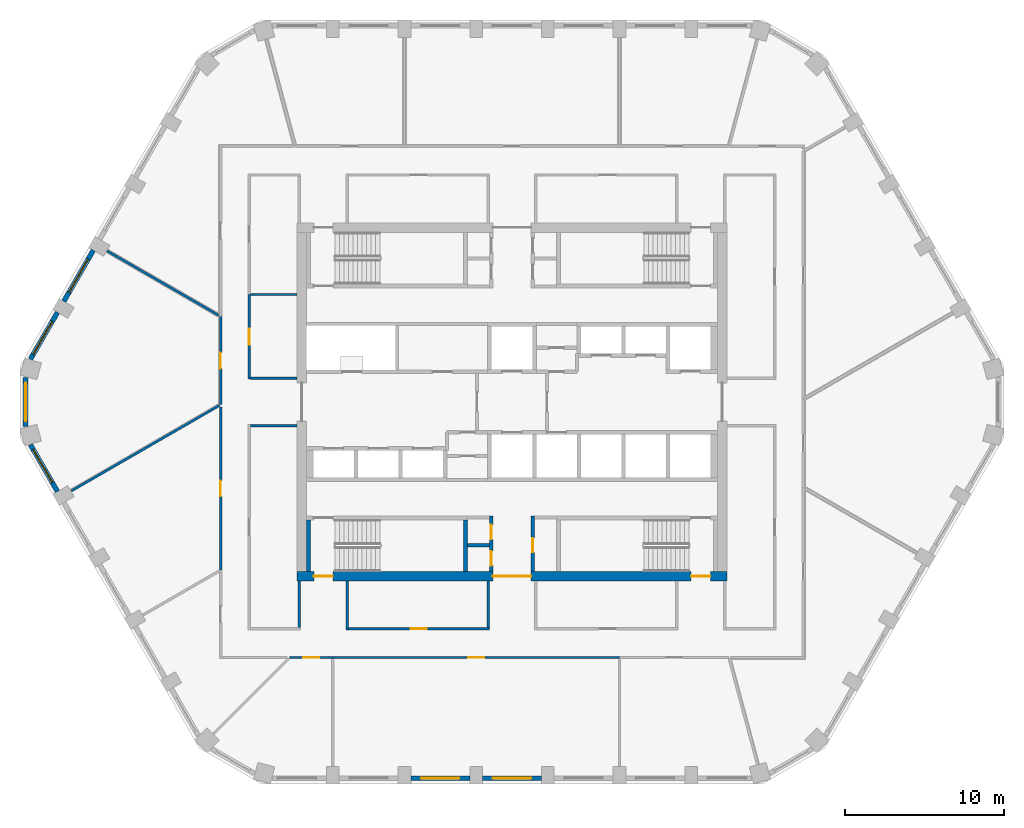
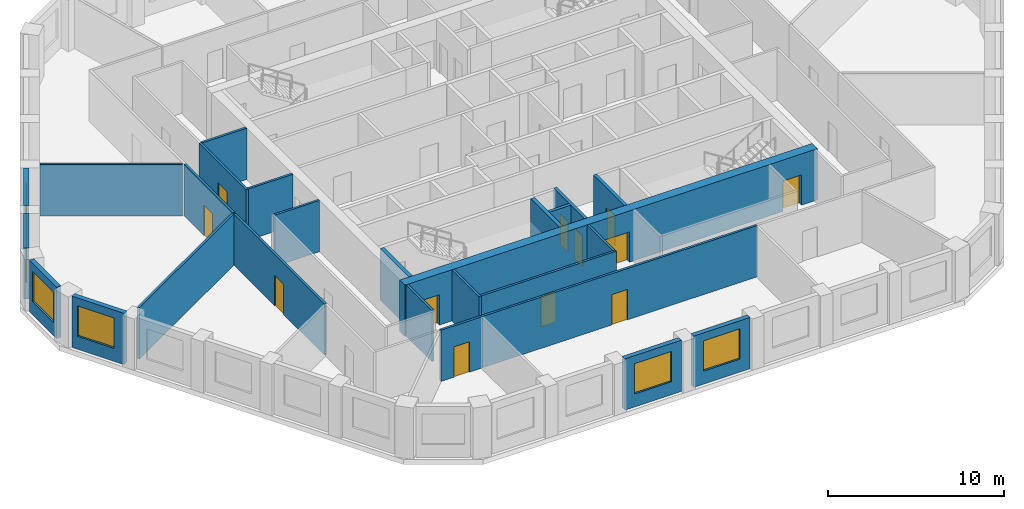
# One storey, part 2 of 13: 26 walls, 12 doors, 6 windows, 18 openings.
"""IFC4 building model written with IfcOpenShell, lengths in metres."""

from ifc_helpers import new_model, si_unit, direction, frame, frame_2d, origin, place, context, subcontext, project, spatial, rectangle, extrude, material, layer, layer_set, type_object, element, fill, save


model = new_model("IFC4")

# Units and contexts
model_context = context("Model", 3, precision=1e-05, world=origin(), true_north=direction((0.0, 1.0)))
body_context = subcontext(model_context, "Body", "Model", "MODEL_VIEW")
ifc_project = project(units=[si_unit("LENGTHUNIT", "METRE"), si_unit("AREAUNIT", "SQUARE_METRE"), si_unit("VOLUMEUNIT", "CUBIC_METRE"), si_unit("PLANEANGLEUNIT", "RADIAN"), si_unit("MASSUNIT", "GRAM", prefix="KILO")], contexts=[model_context])

# Site, building, storey
site_placement = place(None, origin())
site = spatial("IfcSite", under=ifc_project, at=site_placement, CompositionType="ELEMENT")
building_placement = place(site_placement, origin())
building = spatial("IfcBuilding", under=site, at=building_placement, Name="Dhurran Vertical Campus", CompositionType="ELEMENT")
storey_placement = place(building_placement, frame((0.0, 0.0, 187.800048828125)))
storey = spatial("IfcBuildingStorey", under=building, at=storey_placement, Name="L46", CompositionType="ELEMENT", Elevation=187.800048828125)

# Wall, opening, window
ifc_material_1 = material(Name="Precast concrete C50/60", Category="concrete")
ifc_layer_1 = layer(ifc_material_1, 0.300048828125)
ifc_layer_set_1 = layer_set([ifc_layer_1], Name="Precast concrete C50/60")
wall_type_1 = type_object("IfcWallType", Name="Precast spandrel wall 300", PredefinedType="SOLIDWALL", material=ifc_layer_set_1)
wall_1_placement = place(storey_placement, frame((-6.349609375, -23.635498046875, 0.0), z_axis=(0.0, 0.0, 1.0), x_axis=(1.0, 0.0, 0.0)))
wall_1 = element("IfcWall", 1, at=wall_1_placement, inside=storey, type_object=wall_type_1, Name="EW1 L46.02", PredefinedType="SOLIDWALL", context=body_context, shape_type="SweptSolid", body=[
    extrude(rectangle(XDim=3.69921875, YDim=0.300048828125, at=frame_2d((1.849609375, 0.0))), origin(), (0.0, 0.0, 1.0), 3.550048828125),
])
opening_1_placement = place(wall_1_placement, frame((0.6494140625, 0.0, 0.89990234375)))
opening_1 = element("IfcOpeningElement", 2, at=opening_1_placement, cuts=wall_1, Name="Opening WT1", PredefinedType="OPENING", context=body_context, shape_type="SweptSolid", body=[
    extrude(rectangle(XDim=2.39990234375, YDim=2.10009765625, at=frame_2d((1.199951171875, 1.050048828125))), frame((0.0, 0.159912109375, 0.0), z_axis=(0.0, -1.0, 0.0), x_axis=(1.0, 0.0, 0.0)), (0.0, 0.0, 1.0), 0.320068359375),
])
ifc_material_2 = material(Name="Aluminium frame with solar-control glass", Category="aluminium")
window_type = type_object("IfcWindowType", Name="Punched window 2400 x 2100", PartitioningType="SINGLE_PANEL", PredefinedType="WINDOW", material=ifc_material_2)
window_1_placement = place(opening_1_placement, origin())
window_1 = element("IfcWindow", 3, at=window_1_placement, inside=storey, type_object=window_type, Name="WT1 L46.02", OverallHeight=2.10009765625, OverallWidth=2.39990234375, PartitioningType="SINGLE_PANEL", PredefinedType="WINDOW", context=body_context, shape_type="SweptSolid", body=[
    extrude(rectangle(XDim=2.39990234375, YDim=2.10009765625, at=frame_2d((1.199951171875, 1.050048828125))), frame((0.0, 0.030029296875, 0.0), z_axis=(0.0, -1.0, 0.0), x_axis=(1.0, 0.0, 0.0)), (0.0, 0.0, 1.0), 0.06005859375),
])
fill(opening_1, window_1)

wall_2_placement = place(storey_placement, frame((-1.849609375, -23.635498046875, 0.0), z_axis=(0.0, 0.0, 1.0), x_axis=(1.0, 0.0, 0.0)))
wall_2 = element("IfcWall", 4, at=wall_2_placement, inside=storey, type_object=wall_type_1, Name="EW1 L46.03", PredefinedType="SOLIDWALL", context=body_context, shape_type="SweptSolid", body=[
    extrude(rectangle(XDim=3.69921875, YDim=0.300048828125, at=frame_2d((1.849609375, 0.0))), origin(), (0.0, 0.0, 1.0), 3.550048828125),
])
opening_2_placement = place(wall_2_placement, frame((0.6494140625, 0.0, 0.89990234375)))
opening_2 = element("IfcOpeningElement", 5, at=opening_2_placement, cuts=wall_2, Name="Opening WT1", PredefinedType="OPENING", context=body_context, shape_type="SweptSolid", body=[
    extrude(rectangle(XDim=2.39990234375, YDim=2.10009765625, at=frame_2d((1.199951171875, 1.050048828125))), frame((0.0, 0.159912109375, 0.0), z_axis=(0.0, -1.0, 0.0), x_axis=(1.0, 0.0, 0.0)), (0.0, 0.0, 1.0), 0.320068359375),
])
window_2_placement = place(opening_2_placement, origin())
window_2 = element("IfcWindow", 6, at=window_2_placement, inside=storey, type_object=window_type, Name="WT1 L46.03", OverallHeight=2.10009765625, OverallWidth=2.39990234375, PartitioningType="SINGLE_PANEL", PredefinedType="WINDOW", context=body_context, shape_type="SweptSolid", body=[
    extrude(rectangle(XDim=2.39990234375, YDim=2.10009765625, at=frame_2d((1.199951171875, 1.050048828125))), frame((0.0, 0.030029296875, 0.0), z_axis=(0.0, -1.0, 0.0), x_axis=(1.0, 0.0, 0.0)), (0.0, 0.0, 1.0), 0.06005859375),
])
fill(opening_2, window_2)

wall_3_placement = place(storey_placement, frame((-26.294189453125, 9.5224609375, 0.0), z_axis=(0.0, 0.0, 1.0), x_axis=(-0.500029062817, -0.866008623709, 0.0)))
wall_3 = element("IfcWall", 7, at=wall_3_placement, inside=storey, type_object=wall_type_1, Name="EW1 L46.31", PredefinedType="SOLIDWALL", context=body_context, shape_type="SweptSolid", body=[
    extrude(rectangle(XDim=3.698974609375, YDim=0.300048828125, at=frame_2d((1.849609375, 0.0))), origin(), (0.0, 0.0, 1.0), 3.550048828125),
])
opening_3_placement = place(wall_3_placement, frame((0.6494140625, 0.0, 0.89990234375)))
opening_3 = element("IfcOpeningElement", 8, at=opening_3_placement, cuts=wall_3, Name="Opening WT1", PredefinedType="OPENING", context=body_context, shape_type="SweptSolid", body=[
    extrude(rectangle(XDim=2.39990234375, YDim=2.10009765625, at=frame_2d((1.199951171875, 1.050048828125))), frame((0.0, 0.159912109375, 0.0), z_axis=(0.0, -1.0, 0.0), x_axis=(1.0, 0.0, 0.0)), (0.0, 0.0, 1.0), 0.320068359375),
])
window_3_placement = place(opening_3_placement, origin())
window_3 = element("IfcWindow", 9, at=window_3_placement, inside=storey, type_object=window_type, Name="WT1 L46.31", OverallHeight=2.10009765625, OverallWidth=2.39990234375, PartitioningType="SINGLE_PANEL", PredefinedType="WINDOW", context=body_context, shape_type="SweptSolid", body=[
    extrude(rectangle(XDim=2.39990234375, YDim=2.10009765625, at=frame_2d((1.199951171875, 1.050048828125))), frame((0.0, 0.030029296875, 0.0), z_axis=(0.0, -1.0, 0.0), x_axis=(1.0, 0.0, 0.0)), (0.0, 0.0, 1.0), 0.06005859375),
])
fill(opening_3, window_3)

wall_4_placement = place(storey_placement, frame((-28.544189453125, 5.625244140625, 0.0), z_axis=(0.0, 0.0, 1.0), x_axis=(-0.500012868213, -0.866017974191, 0.0)))
wall_4 = element("IfcWall", 10, at=wall_4_placement, inside=storey, type_object=wall_type_1, Name="EW1 L46.32", PredefinedType="SOLIDWALL", context=body_context, shape_type="SweptSolid", body=[
    extrude(rectangle(XDim=3.39599609375, YDim=0.300048828125, at=frame_2d((1.697998046875, 0.0))), origin(), (0.0, 0.0, 1.0), 3.550048828125),
])
opening_4_placement = place(wall_4_placement, frame((0.6494140625, 0.0, 0.89990234375)))
opening_4 = element("IfcOpeningElement", 11, at=opening_4_placement, cuts=wall_4, Name="Opening WT1", PredefinedType="OPENING", context=body_context, shape_type="SweptSolid", body=[
    extrude(rectangle(XDim=2.39990234375, YDim=2.10009765625, at=frame_2d((1.199951171875, 1.050048828125))), frame((0.0, 0.159912109375, 0.0), z_axis=(0.0, -1.0, 0.0), x_axis=(1.0, 0.0, 0.0)), (0.0, 0.0, 1.0), 0.320068359375),
])
window_4_placement = place(opening_4_placement, origin())
window_4 = element("IfcWindow", 12, at=window_4_placement, inside=storey, type_object=window_type, Name="WT1 L46.32", OverallHeight=2.10009765625, OverallWidth=2.39990234375, PartitioningType="SINGLE_PANEL", PredefinedType="WINDOW", context=body_context, shape_type="SweptSolid", body=[
    extrude(rectangle(XDim=2.39990234375, YDim=2.10009765625, at=frame_2d((1.199951171875, 1.050048828125))), frame((0.0, 0.030029296875, 0.0), z_axis=(0.0, -1.0, 0.0), x_axis=(1.0, 0.0, 0.0)), (0.0, 0.0, 1.0), 0.06005859375),
])
fill(opening_4, window_4)

wall_5_placement = place(storey_placement, frame((-30.547119140625, 1.54638671875, 0.0), z_axis=(0.0, 0.0, 1.0), x_axis=(0.0, -1.0, 0.0)))
wall_5 = element("IfcWall", 13, at=wall_5_placement, inside=storey, type_object=wall_type_1, Name="EW1 L46.33", PredefinedType="SOLIDWALL", context=body_context, shape_type="SweptSolid", body=[
    extrude(rectangle(XDim=3.0927734375, YDim=0.300048828125, at=frame_2d((1.54638671875, 0.0))), origin(), (0.0, 0.0, 1.0), 3.550048828125),
])
opening_5_placement = place(wall_5_placement, frame((0.34619140625, 0.0, 0.89990234375)))
opening_5 = element("IfcOpeningElement", 14, at=opening_5_placement, cuts=wall_5, Name="Opening WT1", PredefinedType="OPENING", context=body_context, shape_type="SweptSolid", body=[
    extrude(rectangle(XDim=2.39990234375, YDim=2.10009765625, at=frame_2d((1.199951171875, 1.050048828125))), frame((0.0, 0.159912109375, 0.0), z_axis=(0.0, -1.0, 0.0), x_axis=(1.0, 0.0, 0.0)), (0.0, 0.0, 1.0), 0.320068359375),
])
window_5_placement = place(opening_5_placement, origin())
window_5 = element("IfcWindow", 15, at=window_5_placement, inside=storey, type_object=window_type, Name="WT1 L46.33", OverallHeight=2.10009765625, OverallWidth=2.39990234375, PartitioningType="SINGLE_PANEL", PredefinedType="WINDOW", context=body_context, shape_type="SweptSolid", body=[
    extrude(rectangle(XDim=2.39990234375, YDim=2.10009765625, at=frame_2d((1.199951171875, 1.050048828125))), frame((0.0, 0.030029296875, 0.0), z_axis=(0.0, -1.0, 0.0), x_axis=(1.0, 0.0, 0.0)), (0.0, 0.0, 1.0), 0.06005859375),
])
fill(opening_5, window_5)

wall_6_placement = place(storey_placement, frame((-30.2421875, -2.684326171875, 0.0), z_axis=(0.0, 0.0, 1.0), x_axis=(0.500012868213, -0.866017974191, 0.0)))
wall_6 = element("IfcWall", 16, at=wall_6_placement, inside=storey, type_object=wall_type_1, Name="EW1 L46.34", PredefinedType="SOLIDWALL", context=body_context, shape_type="SweptSolid", body=[
    extrude(rectangle(XDim=3.39599609375, YDim=0.300048828125, at=frame_2d((1.697998046875, 0.0))), origin(), (0.0, 0.0, 1.0), 3.550048828125),
])
opening_6_placement = place(wall_6_placement, frame((0.346435546875, 0.0, 0.89990234375)))
opening_6 = element("IfcOpeningElement", 17, at=opening_6_placement, cuts=wall_6, Name="Opening WT1", PredefinedType="OPENING", context=body_context, shape_type="SweptSolid", body=[
    extrude(rectangle(XDim=2.39990234375, YDim=2.10009765625, at=frame_2d((1.199951171875, 1.050048828125))), frame((0.0, 0.159912109375, 0.0), z_axis=(0.0, -1.0, 0.0), x_axis=(1.0, 0.0, 0.0)), (0.0, 0.0, 1.0), 0.320068359375),
])
window_6_placement = place(opening_6_placement, origin())
window_6 = element("IfcWindow", 18, at=window_6_placement, inside=storey, type_object=window_type, Name="WT1 L46.34", OverallHeight=2.10009765625, OverallWidth=2.39990234375, PartitioningType="SINGLE_PANEL", PredefinedType="WINDOW", context=body_context, shape_type="SweptSolid", body=[
    extrude(rectangle(XDim=2.39990234375, YDim=2.10009765625, at=frame_2d((1.199951171875, 1.050048828125))), frame((0.0, 0.030029296875, 0.0), z_axis=(0.0, -1.0, 0.0), x_axis=(1.0, 0.0, 0.0)), (0.0, 0.0, 1.0), 0.06005859375),
])
fill(opening_6, window_6)

# Wall, openings, doors
ifc_material_3 = material(Name="Concrete C50/60", Category="concrete")
ifc_layer_2 = layer(ifc_material_3, 0.60009765625)
ifc_layer_set_2 = layer_set([ifc_layer_2], Name="Concrete C50/60")
wall_type_2 = type_object("IfcWallType", Name="co-CORE-WALL-C2-600", PredefinedType="SHEAR", material=ifc_layer_set_2)
wall_7_placement = place(storey_placement, frame((-13.5, -10.949951171875, 0.0), z_axis=(0.0, 0.0, 1.0), x_axis=(1.0, 0.0, 0.0)))
wall_7 = element("IfcWall", 19, at=wall_7_placement, inside=storey, type_object=wall_type_2, Name="Core wall S L46", PredefinedType="SHEAR", context=body_context, shape_type="SweptSolid", body=[
    extrude(rectangle(XDim=27.0, YDim=0.60009765625, at=frame_2d((13.5, 0.0))), origin(), (0.0, 0.0, 1.0), 3.550048828125),
])
opening_7_placement = place(wall_7_placement, frame((12.300048828125, 0.0, 0.0)))
opening_7 = element("IfcOpeningElement", 20, at=opening_7_placement, cuts=wall_7, Name="Opening CV2", PredefinedType="OPENING", context=body_context, shape_type="SweptSolid", body=[
    extrude(rectangle(XDim=2.39990234375, YDim=2.10009765625, at=frame_2d((1.199951171875, 1.050048828125))), frame((0.0, 0.31005859375, 0.0), z_axis=(0.0, -1.0, 0.0), x_axis=(1.0, 0.0, 0.0)), (0.0, 0.0, 1.0), 0.6201171875),
])
opening_8_placement = place(wall_7_placement, frame((1.050048828125, 0.0, 0.0)))
opening_8 = element("IfcOpeningElement", 21, at=opening_8_placement, cuts=wall_7, Name="Opening XD3", PredefinedType="OPENING", context=body_context, shape_type="SweptSolid", body=[
    extrude(rectangle(XDim=1.199951171875, YDim=2.10009765625, at=frame_2d((0.60009765625, 1.050048828125))), frame((0.0, 0.31005859375, 0.0), z_axis=(0.0, -1.0, 0.0), x_axis=(1.0, 0.0, 0.0)), (0.0, 0.0, 1.0), 0.6201171875),
])
opening_9_placement = place(wall_7_placement, frame((24.75, 0.0, 0.0)))
opening_9 = element("IfcOpeningElement", 22, at=opening_9_placement, cuts=wall_7, Name="Opening XD4", PredefinedType="OPENING", context=body_context, shape_type="SweptSolid", body=[
    extrude(rectangle(XDim=1.199951171875, YDim=2.10009765625, at=frame_2d((0.60009765625, 1.050048828125))), frame((0.0, 0.31005859375, 0.0), z_axis=(0.0, -1.0, 0.0), x_axis=(1.0, 0.0, 0.0)), (0.0, 0.0, 1.0), 0.6201171875),
])
ifc_material_4 = material(Name="Fire-rated glazed door set")
door_type_1 = type_object("IfcDoorType", Name="co-D-LOBBY 2400x2100", OperationType="DOUBLE_DOOR_DOUBLE_SWING", PredefinedType="DOOR", material=ifc_material_4)
door_1_placement = place(opening_7_placement, origin())
door_1 = element("IfcDoor", 23, at=door_1_placement, inside=storey, type_object=door_type_1, Name="Core vestibule door S L46", OperationType="DOUBLE_DOOR_DOUBLE_SWING", OverallHeight=2.10009765625, OverallWidth=2.39990234375, PredefinedType="DOOR", context=body_context, shape_type="SweptSolid", body=[
    extrude(rectangle(XDim=2.39990234375, YDim=2.10009765625, at=frame_2d((1.199951171875, 1.050048828125))), frame((0.0, 0.02490234375, 0.0), z_axis=(0.0, -1.0, 0.0), x_axis=(1.0, 0.0, 0.0)), (0.0, 0.0, 1.0), 0.050048828125),
])
fill(opening_7, door_1)
ifc_material_5 = material(Name="Fire-rated steel door set", Category="steel")
door_type_2 = type_object("IfcDoorType", Name="co-D-STAIR-EXIT 1200x2100", OperationType="SINGLE_SWING_RIGHT", PredefinedType="DOOR", material=ifc_material_5)
door_2_placement = place(opening_8_placement, origin())
door_2 = element("IfcDoor", 24, at=door_2_placement, inside=storey, type_object=door_type_2, Name="Stair ST3 exit door L46", OperationType="SINGLE_SWING_RIGHT", OverallHeight=2.10009765625, OverallWidth=1.199951171875, PredefinedType="DOOR", context=body_context, shape_type="SweptSolid", body=[
    extrude(rectangle(XDim=1.199951171875, YDim=2.10009765625, at=frame_2d((0.60009765625, 1.050048828125))), frame((0.0, 0.02490234375, 0.0), z_axis=(0.0, -1.0, 0.0), x_axis=(1.0, 0.0, 0.0)), (0.0, 0.0, 1.0), 0.050048828125),
])
fill(opening_8, door_2)
door_3_placement = place(opening_9_placement, origin())
door_3 = element("IfcDoor", 25, at=door_3_placement, inside=storey, type_object=door_type_2, Name="Stair ST4 exit door L46", OperationType="SINGLE_SWING_RIGHT", OverallHeight=2.10009765625, OverallWidth=1.199951171875, PredefinedType="DOOR", context=body_context, shape_type="SweptSolid", body=[
    extrude(rectangle(XDim=1.199951171875, YDim=2.10009765625, at=frame_2d((0.60009765625, 1.050048828125))), frame((0.0, 0.02490234375, 0.0), z_axis=(0.0, -1.0, 0.0), x_axis=(1.0, 0.0, 0.0)), (0.0, 0.0, 1.0), 0.050048828125),
])
fill(opening_9, door_3)

# Wall
ifc_material_6 = material(Name="Fire-rated masonry blockwork", Category="masonry")
ifc_layer_3 = layer(ifc_material_6, 0.199951171875)
ifc_layer_set_3 = layer_set([ifc_layer_3], Name="Fire-rated masonry blockwork")
wall_type_3 = type_object("IfcWallType", Name="co-FIRE-PARTITION-200", PredefinedType="PARTITIONING", material=ifc_layer_set_3)
wall_8_placement = place(storey_placement, frame((-2.800048828125, -9.0, 0.0), z_axis=(0.0, 0.0, 1.0), x_axis=(1.0, 0.0, 0.0)))
element("IfcWall", 26, at=wall_8_placement, inside=storey, type_object=wall_type_3, Name="Core partition sl-SW-cut0 L46", PredefinedType="PARTITIONING", context=body_context, shape_type="SweptSolid", body=[
    extrude(rectangle(XDim=1.400146484375, YDim=0.199951171875, at=frame_2d((0.7001953125, 0.0))), origin(), (0.0, 0.0, 1.0), 3.550048828125),
])

# Wall, openings, doors
wall_9_placement = place(storey_placement, frame((-1.300048828125, -10.64990234375, 0.0), z_axis=(0.0, 0.0, 1.0), x_axis=(0.0, 1.0, 0.0)))
wall_9 = element("IfcWall", 27, at=wall_9_placement, inside=storey, type_object=wall_type_3, Name="Core partition vest-SW L46", PredefinedType="PARTITIONING", context=body_context, shape_type="SweptSolid", body=[
    extrude(rectangle(XDim=3.5, YDim=0.199951171875, at=frame_2d((1.75, 0.0))), origin(), (0.0, 0.0, 1.0), 3.550048828125),
])
opening_10_placement = place(wall_9_placement, frame((0.375, 0.0, 0.0)))
opening_10 = element("IfcOpeningElement", 28, at=opening_10_placement, cuts=wall_9, Name="Opening T13-C1", PredefinedType="OPENING", context=body_context, shape_type="SweptSolid", body=[
    extrude(rectangle(XDim=0.89990234375, YDim=2.10009765625, at=frame_2d((0.449951171875, 1.050048828125))), frame((0.0, 0.10986328125, 0.0), z_axis=(0.0, -1.0, 0.0), x_axis=(1.0, 0.0, 0.0)), (0.0, 0.0, 1.0), 0.219970703125),
])
opening_11_placement = place(wall_9_placement, frame((2.02490234375, 0.0, 0.0)))
opening_11 = element("IfcOpeningElement", 29, at=opening_11_placement, cuts=wall_9, Name="Opening T13-C2", PredefinedType="OPENING", context=body_context, shape_type="SweptSolid", body=[
    extrude(rectangle(XDim=0.89990234375, YDim=2.10009765625, at=frame_2d((0.449951171875, 1.050048828125))), frame((0.0, 0.10986328125, 0.0), z_axis=(0.0, -1.0, 0.0), x_axis=(1.0, 0.0, 0.0)), (0.0, 0.0, 1.0), 0.219970703125),
])
ifc_material_7 = material(Name="Fire-rated timber door set", Category="wood")
door_type_3 = type_object("IfcDoorType", Name="co-D-ROOM 900x2100", OperationType="SINGLE_SWING_LEFT", PredefinedType="DOOR", material=ifc_material_7)
door_4_placement = place(opening_10_placement, origin())
door_4 = element("IfcDoor", 30, at=door_4_placement, inside=storey, type_object=door_type_3, Name="Print room door L46", OperationType="SINGLE_SWING_LEFT", OverallHeight=2.10009765625, OverallWidth=0.89990234375, PredefinedType="DOOR", context=body_context, shape_type="SweptSolid", body=[
    extrude(rectangle(XDim=0.89990234375, YDim=2.10009765625, at=frame_2d((0.449951171875, 1.050048828125))), frame((0.0, 0.02490234375, 0.0), z_axis=(0.0, -1.0, 0.0), x_axis=(1.0, 0.0, 0.0)), (0.0, 0.0, 1.0), 0.050048828125),
])
fill(opening_10, door_4)
door_5_placement = place(opening_11_placement, origin())
door_5 = element("IfcDoor", 31, at=door_5_placement, inside=storey, type_object=door_type_3, Name="Communications room door L46", OperationType="SINGLE_SWING_LEFT", OverallHeight=2.10009765625, OverallWidth=0.89990234375, PredefinedType="DOOR", context=body_context, shape_type="SweptSolid", body=[
    extrude(rectangle(XDim=0.89990234375, YDim=2.10009765625, at=frame_2d((0.449951171875, 1.050048828125))), frame((0.0, 0.02490234375, 0.0), z_axis=(0.0, -1.0, 0.0), x_axis=(1.0, 0.0, 0.0)), (0.0, 0.0, 1.0), 0.050048828125),
])
fill(opening_11, door_5)

# Wall, opening, door
wall_10_placement = place(storey_placement, frame((1.300048828125, -10.64990234375, 0.0), z_axis=(0.0, 0.0, 1.0), x_axis=(0.0, 1.0, 0.0)))
wall_10 = element("IfcWall", 32, at=wall_10_placement, inside=storey, type_object=wall_type_3, Name="Core partition vest-SE L46", PredefinedType="PARTITIONING", context=body_context, shape_type="SweptSolid", body=[
    extrude(rectangle(XDim=3.5, YDim=0.199951171875, at=frame_2d((1.75, 0.0))), origin(), (0.0, 0.0, 1.0), 3.550048828125),
])
opening_12_placement = place(wall_10_placement, frame((1.199951171875, 0.0, 0.0)))
opening_12 = element("IfcOpeningElement", 33, at=opening_12_placement, cuts=wall_10, Name="Opening T13-C3", PredefinedType="OPENING", context=body_context, shape_type="SweptSolid", body=[
    extrude(rectangle(XDim=0.89990234375, YDim=2.10009765625, at=frame_2d((0.449951171875, 1.050048828125))), frame((0.0, 0.10986328125, 0.0), z_axis=(0.0, -1.0, 0.0), x_axis=(1.0, 0.0, 0.0)), (0.0, 0.0, 1.0), 0.219970703125),
])
door_6_placement = place(opening_12_placement, origin())
door_6 = element("IfcDoor", 34, at=door_6_placement, inside=storey, type_object=door_type_3, Name="Cleaner's store door L46", OperationType="SINGLE_SWING_LEFT", OverallHeight=2.10009765625, OverallWidth=0.89990234375, PredefinedType="DOOR", context=body_context, shape_type="SweptSolid", body=[
    extrude(rectangle(XDim=0.89990234375, YDim=2.10009765625, at=frame_2d((0.449951171875, 1.050048828125))), frame((0.0, 0.02490234375, 0.0), z_axis=(0.0, -1.0, 0.0), x_axis=(1.0, 0.0, 0.0)), (0.0, 0.0, 1.0), 0.050048828125),
])
fill(opening_12, door_6)

# Walls
ifc_material_8 = material(Name="Concrete C40/50", Category="concrete")
ifc_layer_4 = layer(ifc_material_8, 0.25)
ifc_layer_set_4 = layer_set([ifc_layer_4], Name="Concrete C40/50")
wall_type_4 = type_object("IfcWallType", Name="co-STAIR-WALL-250", PredefinedType="SHEAR", material=ifc_layer_set_4)
for number, where, z_axis, x_axis, name in (
    (35, (-12.77490234375, -10.64990234375, 0.0), (0.0, 0.0, 1.0), (0.0, 1.0, 0.0), "Stair ST3 enclosure wall L46"),
    (36, (-2.925048828125, -10.64990234375, 0.0), (0.0, 0.0, 1.0), (0.0, 1.0, 0.0), "Stair ST3 enclosure wall L46"),
):
    element("IfcWall", number, at=place(storey_placement, frame(where, z_axis=z_axis, x_axis=x_axis)), inside=storey, type_object=wall_type_4, Name=name, PredefinedType="SHEAR", context=body_context, shape_type="SweptSolid", body=[
        extrude(rectangle(XDim=3.25, YDim=0.25, at=frame_2d((1.625, 0.0))), origin(), (0.0, 0.0, 1.0), 3.550048828125),
    ])

# Wall, opening, door
ifc_material_9 = material(Name="Gypsum board corridor wall on steel studs", Category="steel")
ifc_layer_5 = layer(ifc_material_9, 0.14990234375)
ifc_layer_set_5 = layer_set([ifc_layer_5], Name="Gypsum board corridor wall on steel studs")
wall_type_5 = type_object("IfcWallType", Name="fl-CW-150 corridor wall", PredefinedType="PARTITIONING", material=ifc_layer_set_5)
wall_11_placement = place(storey_placement, frame((-18.300048828125, -0.302978515625, 0.0), z_axis=(0.0, 0.0, 1.0), x_axis=(0.0, -1.0, 0.0)))
wall_11 = element("IfcWall", 37, at=wall_11_placement, inside=storey, type_object=wall_type_5, Name="Partition 46-07", PredefinedType="PARTITIONING", context=body_context, shape_type="SweptSolid", body=[
    extrude(rectangle(XDim=10.262939453125, YDim=0.14990234375, at=frame_2d((5.13134765625, 0.0))), origin(), (0.0, 0.0, 1.0), 3.550048828125),
])
opening_13_placement = place(wall_11_placement, frame((4.631591796875, 0.0, 0.0)))
opening_13 = element("IfcOpeningElement", 38, at=opening_13_placement, cuts=wall_11, Name="Opening T13.02", PredefinedType="OPENING", context=body_context, shape_type="SweptSolid", body=[
    extrude(rectangle(XDim=1.0, YDim=2.10009765625, at=frame_2d((0.5, 1.050048828125))), frame((0.0, 0.0849609375, 0.0), z_axis=(0.0, -1.0, 0.0), x_axis=(1.0, 0.0, 0.0)), (0.0, 0.0, 1.0), 0.169921875),
])
ifc_material_10 = material(Name="Solid-core timber door set, fire-rated", Category="wood")
door_type_4 = type_object("IfcDoorType", Name="fl-D-1000x2100", OperationType="SINGLE_SWING_LEFT", PredefinedType="DOOR", material=ifc_material_10)
door_7_placement = place(opening_13_placement, origin())
door_7 = element("IfcDoor", 39, at=door_7_placement, inside=storey, type_object=door_type_4, Name="Door 46.02", OperationType="SINGLE_SWING_RIGHT", OverallHeight=2.10009765625, OverallWidth=1.0, PredefinedType="DOOR", context=body_context, shape_type="SweptSolid", body=[
    extrude(rectangle(XDim=1.0, YDim=2.10009765625, at=frame_2d((0.5, 1.050048828125))), frame((0.0, 0.02490234375, 0.0), z_axis=(0.0, -1.0, 0.0), x_axis=(1.0, 0.0, 0.0)), (0.0, 0.0, 1.0), 0.050048828125),
])
fill(opening_13, door_7)

wall_12_placement = place(storey_placement, frame((-18.300048828125, 5.368896484375, 0.0), z_axis=(0.0, 0.0, 1.0), x_axis=(0.0, -1.0, 0.0)))
wall_12 = element("IfcWall", 40, at=wall_12_placement, inside=storey, type_object=wall_type_5, Name="Partition 46-08", PredefinedType="PARTITIONING", context=body_context, shape_type="SweptSolid", body=[
    extrude(rectangle(XDim=5.5419921875, YDim=0.14990234375, at=frame_2d((2.77099609375, 0.0))), origin(), (0.0, 0.0, 1.0), 3.550048828125),
])
opening_14_placement = place(wall_12_placement, frame((2.27099609375, 0.0, 0.0)))
opening_14 = element("IfcOpeningElement", 41, at=opening_14_placement, cuts=wall_12, Name="Opening T13.01", PredefinedType="OPENING", context=body_context, shape_type="SweptSolid", body=[
    extrude(rectangle(XDim=1.0, YDim=2.10009765625, at=frame_2d((0.5, 1.050048828125))), frame((0.0, 0.0849609375, 0.0), z_axis=(0.0, -1.0, 0.0), x_axis=(1.0, 0.0, 0.0)), (0.0, 0.0, 1.0), 0.169921875),
])
door_8_placement = place(opening_14_placement, origin())
door_8 = element("IfcDoor", 42, at=door_8_placement, inside=storey, type_object=door_type_4, Name="Door 46.01", OperationType="SINGLE_SWING_LEFT", OverallHeight=2.10009765625, OverallWidth=1.0, PredefinedType="DOOR", context=body_context, shape_type="SweptSolid", body=[
    extrude(rectangle(XDim=1.0, YDim=2.10009765625, at=frame_2d((0.5, 1.050048828125))), frame((0.0, 0.02490234375, 0.0), z_axis=(0.0, -1.0, 0.0), x_axis=(1.0, 0.0, 0.0)), (0.0, 0.0, 1.0), 0.050048828125),
])
fill(opening_14, door_8)

# Wall
wall_13_placement = place(storey_placement, frame((-16.425048828125, -1.5, 0.0), z_axis=(0.0, 0.0, 1.0), x_axis=(1.0, 0.0, 0.0)))
element("IfcWall", 43, at=wall_13_placement, inside=storey, type_object=wall_type_5, Name="Partition 46-13", PredefinedType="PARTITIONING", context=body_context, shape_type="SweptSolid", body=[
    extrude(rectangle(XDim=2.925048828125, YDim=0.14990234375, at=frame_2d((1.46240234375, 0.0))), origin(), (0.0, 0.0, 1.0), 3.550048828125),
])

# Wall, opening, door
wall_14_placement = place(storey_placement, frame((-16.5, 1.425048828125, 0.0), z_axis=(0.0, 0.0, 1.0), x_axis=(0.0, 1.0, 0.0)))
wall_14 = element("IfcWall", 44, at=wall_14_placement, inside=storey, type_object=wall_type_5, Name="Partition 46-14", PredefinedType="PARTITIONING", context=body_context, shape_type="SweptSolid", body=[
    extrude(rectangle(XDim=5.324951171875, YDim=0.14990234375, at=frame_2d((2.66259765625, 0.0))), origin(), (0.0, 0.0, 1.0), 3.550048828125),
])
opening_15_placement = place(wall_14_placement, frame((2.16259765625, 0.0, 0.0)))
opening_15 = element("IfcOpeningElement", 45, at=opening_15_placement, cuts=wall_14, Name="Opening T13.05", PredefinedType="OPENING", context=body_context, shape_type="SweptSolid", body=[
    extrude(rectangle(XDim=1.0, YDim=2.10009765625, at=frame_2d((0.5, 1.050048828125))), frame((0.0, 0.0849609375, 0.0), z_axis=(0.0, -1.0, 0.0), x_axis=(1.0, 0.0, 0.0)), (0.0, 0.0, 1.0), 0.169921875),
])
door_9_placement = place(opening_15_placement, origin())
door_9 = element("IfcDoor", 46, at=door_9_placement, inside=storey, type_object=door_type_4, Name="Door 46.05", OperationType="SINGLE_SWING_RIGHT", OverallHeight=2.10009765625, OverallWidth=1.0, PredefinedType="DOOR", context=body_context, shape_type="SweptSolid", body=[
    extrude(rectangle(XDim=1.0, YDim=2.10009765625, at=frame_2d((0.5, 1.050048828125))), frame((0.0, 0.02490234375, 0.0), z_axis=(0.0, -1.0, 0.0), x_axis=(1.0, 0.0, 0.0)), (0.0, 0.0, 1.0), 0.050048828125),
])
fill(opening_15, door_9)

# Wall
wall_15_placement = place(storey_placement, frame((-13.5, 1.5, 0.0), z_axis=(0.0, 0.0, 1.0), x_axis=(-1.0, 0.0, 0.0)))
element("IfcWall", 47, at=wall_15_placement, inside=storey, type_object=wall_type_5, Name="Partition 46-15", PredefinedType="PARTITIONING", context=body_context, shape_type="SweptSolid", body=[
    extrude(rectangle(XDim=2.925048828125, YDim=0.14990234375, at=frame_2d((1.46240234375, 0.0))), origin(), (0.0, 0.0, 1.0), 3.550048828125),
])

# Wall, opening, door
wall_16_placement = place(storey_placement, frame((-13.9619140625, -16.050048828125, 0.0), z_axis=(0.0, 0.0, 1.0), x_axis=(1.0, 0.0, 0.0)))
wall_16 = element("IfcWall", 48, at=wall_16_placement, inside=storey, type_object=wall_type_5, Name="Partition 46-20", PredefinedType="PARTITIONING", context=body_context, shape_type="SweptSolid", body=[
    extrude(rectangle(XDim=2.7119140625, YDim=0.14990234375, at=frame_2d((1.35595703125, 0.0))), origin(), (0.0, 0.0, 1.0), 3.550048828125),
])
opening_16_placement = place(wall_16_placement, frame((0.85595703125, 0.0, 0.0)))
opening_16 = element("IfcOpeningElement", 49, at=opening_16_placement, cuts=wall_16, Name="Opening T13.08", PredefinedType="OPENING", context=body_context, shape_type="SweptSolid", body=[
    extrude(rectangle(XDim=1.0, YDim=2.10009765625, at=frame_2d((0.5, 1.050048828125))), frame((0.0, 0.0849609375, 0.0), z_axis=(0.0, -1.0, 0.0), x_axis=(1.0, 0.0, 0.0)), (0.0, 0.0, 1.0), 0.169921875),
])
door_10_placement = place(opening_16_placement, origin())
door_10 = element("IfcDoor", 50, at=door_10_placement, inside=storey, type_object=door_type_4, Name="Door 46.08", OperationType="SINGLE_SWING_LEFT", OverallHeight=2.10009765625, OverallWidth=1.0, PredefinedType="DOOR", context=body_context, shape_type="SweptSolid", body=[
    extrude(rectangle(XDim=1.0, YDim=2.10009765625, at=frame_2d((0.5, 1.050048828125))), frame((0.0, 0.02490234375, 0.0), z_axis=(0.0, -1.0, 0.0), x_axis=(1.0, 0.0, 0.0)), (0.0, 0.0, 1.0), 0.050048828125),
])
fill(opening_16, door_10)

# Wall
wall_17_placement = place(storey_placement, frame((-13.35009765625, -11.25, 0.0), z_axis=(0.0, 0.0, 1.0), x_axis=(0.0, -1.0, 0.0)))
element("IfcWall", 51, at=wall_17_placement, inside=storey, type_object=wall_type_5, Name="Partition 46-22", PredefinedType="PARTITIONING", context=body_context, shape_type="SweptSolid", body=[
    extrude(rectangle(XDim=2.925048828125, YDim=0.14990234375, at=frame_2d((1.46240234375, 0.0))), origin(), (0.0, 0.0, 1.0), 3.550048828125),
])

# Wall, opening, door
wall_18_placement = place(storey_placement, frame((-11.25, -16.050048828125, 0.0), z_axis=(0.0, 0.0, 1.0), x_axis=(1.0, 0.0, 0.0)))
wall_18 = element("IfcWall", 52, at=wall_18_placement, inside=storey, type_object=wall_type_5, Name="Partition 46-25", PredefinedType="PARTITIONING", context=body_context, shape_type="SweptSolid", body=[
    extrude(rectangle(XDim=18.0, YDim=0.14990234375, at=frame_2d((9.0, 0.0))), origin(), (0.0, 0.0, 1.0), 3.550048828125),
])
opening_17_placement = place(wall_18_placement, frame((8.5, 0.0, 0.0)))
opening_17 = element("IfcOpeningElement", 53, at=opening_17_placement, cuts=wall_18, Name="Opening T13.12", PredefinedType="OPENING", context=body_context, shape_type="SweptSolid", body=[
    extrude(rectangle(XDim=1.0, YDim=2.10009765625, at=frame_2d((0.5, 1.050048828125))), frame((0.0, 0.0849609375, 0.0), z_axis=(0.0, -1.0, 0.0), x_axis=(1.0, 0.0, 0.0)), (0.0, 0.0, 1.0), 0.169921875),
])
door_11_placement = place(opening_17_placement, origin())
door_11 = element("IfcDoor", 54, at=door_11_placement, inside=storey, type_object=door_type_4, Name="Door 46.12", OperationType="SINGLE_SWING_RIGHT", OverallHeight=2.10009765625, OverallWidth=1.0, PredefinedType="DOOR", context=body_context, shape_type="SweptSolid", body=[
    extrude(rectangle(XDim=1.0, YDim=2.10009765625, at=frame_2d((0.5, 1.050048828125))), frame((0.0, 0.02490234375, 0.0), z_axis=(0.0, -1.0, 0.0), x_axis=(1.0, 0.0, 0.0)), (0.0, 0.0, 1.0), 0.050048828125),
])
fill(opening_17, door_11)

# Wall
wall_19_placement = place(storey_placement, frame((-10.35009765625, -14.324951171875, 0.0), z_axis=(0.0, 0.0, 1.0), x_axis=(0.0, 1.0, 0.0)))
element("IfcWall", 55, at=wall_19_placement, inside=storey, type_object=wall_type_5, Name="Partition 46-26", PredefinedType="PARTITIONING", context=body_context, shape_type="SweptSolid", body=[
    extrude(rectangle(XDim=3.074951171875, YDim=0.14990234375, at=frame_2d((1.53759765625, 0.0))), origin(), (0.0, 0.0, 1.0), 3.550048828125),
])

# Wall, opening, door
wall_20_placement = place(storey_placement, frame((-1.425048828125, -14.25, 0.0), z_axis=(0.0, 0.0, 1.0), x_axis=(-1.0, 0.0, 0.0)))
wall_20 = element("IfcWall", 56, at=wall_20_placement, inside=storey, type_object=wall_type_5, Name="Partition 46-27", PredefinedType="PARTITIONING", context=body_context, shape_type="SweptSolid", body=[
    extrude(rectangle(XDim=8.849853515625, YDim=0.14990234375, at=frame_2d((4.4248046875, 0.0))), origin(), (0.0, 0.0, 1.0), 3.550048828125),
])
opening_18_placement = place(wall_20_placement, frame((3.925048828125, 0.0, 0.0)))
opening_18 = element("IfcOpeningElement", 57, at=opening_18_placement, cuts=wall_20, Name="Opening T13.10", PredefinedType="OPENING", context=body_context, shape_type="SweptSolid", body=[
    extrude(rectangle(XDim=1.0, YDim=2.10009765625, at=frame_2d((0.5, 1.050048828125))), frame((0.0, 0.0849609375, 0.0), z_axis=(0.0, -1.0, 0.0), x_axis=(1.0, 0.0, 0.0)), (0.0, 0.0, 1.0), 0.169921875),
])
door_12_placement = place(opening_18_placement, origin())
door_12 = element("IfcDoor", 58, at=door_12_placement, inside=storey, type_object=door_type_4, Name="Door 46.10", OperationType="SINGLE_SWING_RIGHT", OverallHeight=2.10009765625, OverallWidth=1.0, PredefinedType="DOOR", context=body_context, shape_type="SweptSolid", body=[
    extrude(rectangle(XDim=1.0, YDim=2.10009765625, at=frame_2d((0.5, 1.050048828125))), frame((0.0, 0.02490234375, 0.0), z_axis=(0.0, -1.0, 0.0), x_axis=(1.0, 0.0, 0.0)), (0.0, 0.0, 1.0), 0.050048828125),
])
fill(opening_18, door_12)

# Walls
wall_21_placement = place(storey_placement, frame((-1.5, -11.25, 0.0), z_axis=(0.0, 0.0, 1.0), x_axis=(0.0, -1.0, 0.0)))
element("IfcWall", 59, at=wall_21_placement, inside=storey, type_object=wall_type_5, Name="Partition 46-32", PredefinedType="PARTITIONING", context=body_context, shape_type="SweptSolid", body=[
    extrude(rectangle(XDim=2.925048828125, YDim=0.14990234375, at=frame_2d((1.46240234375, 0.0))), origin(), (0.0, 0.0, 1.0), 3.550048828125),
])
ifc_material_11 = material(Name="Gypsum board partition on steel studs", Category="steel")
ifc_layer_6 = layer(ifc_material_11, 0.14990234375)
ifc_layer_set_6 = layer_set([ifc_layer_6], Name="Gypsum board partition on steel studs")
wall_type_6 = type_object("IfcWallType", Name="fl-PW-150 fixed partition", PredefinedType="PARTITIONING", material=ifc_layer_set_6)
wall_22_placement = place(storey_placement, frame((-18.364990234375, -0.21044921875, 0.0), z_axis=(0.0, 0.0, 1.0), x_axis=(-0.866008630453, -0.500029051137, 0.0)))
element("IfcWall", 60, at=wall_22_placement, inside=storey, type_object=wall_type_6, Name="Partition 46-01", PredefinedType="PARTITIONING", context=body_context, shape_type="SweptSolid", body=[
    extrude(rectangle(XDim=10.752685546875, YDim=0.14990234375, at=frame_2d((5.37646484375, 0.0))), origin(), (0.0, 0.0, 1.0), 3.550048828125),
])
wall_23_placement = place(storey_placement, frame((-25.42724609375, 9.484130859375, 0.0), z_axis=(0.0, 0.0, 1.0), x_axis=(0.866017937352, -0.500012932018, 0.0)))
element("IfcWall", 61, at=wall_23_placement, inside=storey, type_object=wall_type_6, Name="Partition 46-02", PredefinedType="PARTITIONING", context=body_context, shape_type="SweptSolid", body=[
    extrude(rectangle(XDim=8.099853515625, YDim=0.14990234375, at=frame_2d((4.0498046875, 0.0))), origin(), (0.0, 0.0, 1.0), 3.550048828125),
])
wall_24_placement = place(storey_placement, frame((-16.425048828125, 6.75, 0.0), z_axis=(0.0, 0.0, 1.0), x_axis=(1.0, 0.0, 0.0)))
element("IfcWall", 62, at=wall_24_placement, inside=storey, type_object=wall_type_6, Name="Partition 46-17", PredefinedType="PARTITIONING", context=body_context, shape_type="SweptSolid", body=[
    extrude(rectangle(XDim=2.925048828125, YDim=0.14990234375, at=frame_2d((1.46240234375, 0.0))), origin(), (0.0, 0.0, 1.0), 3.550048828125),
])

save(model, "model.ifc")
